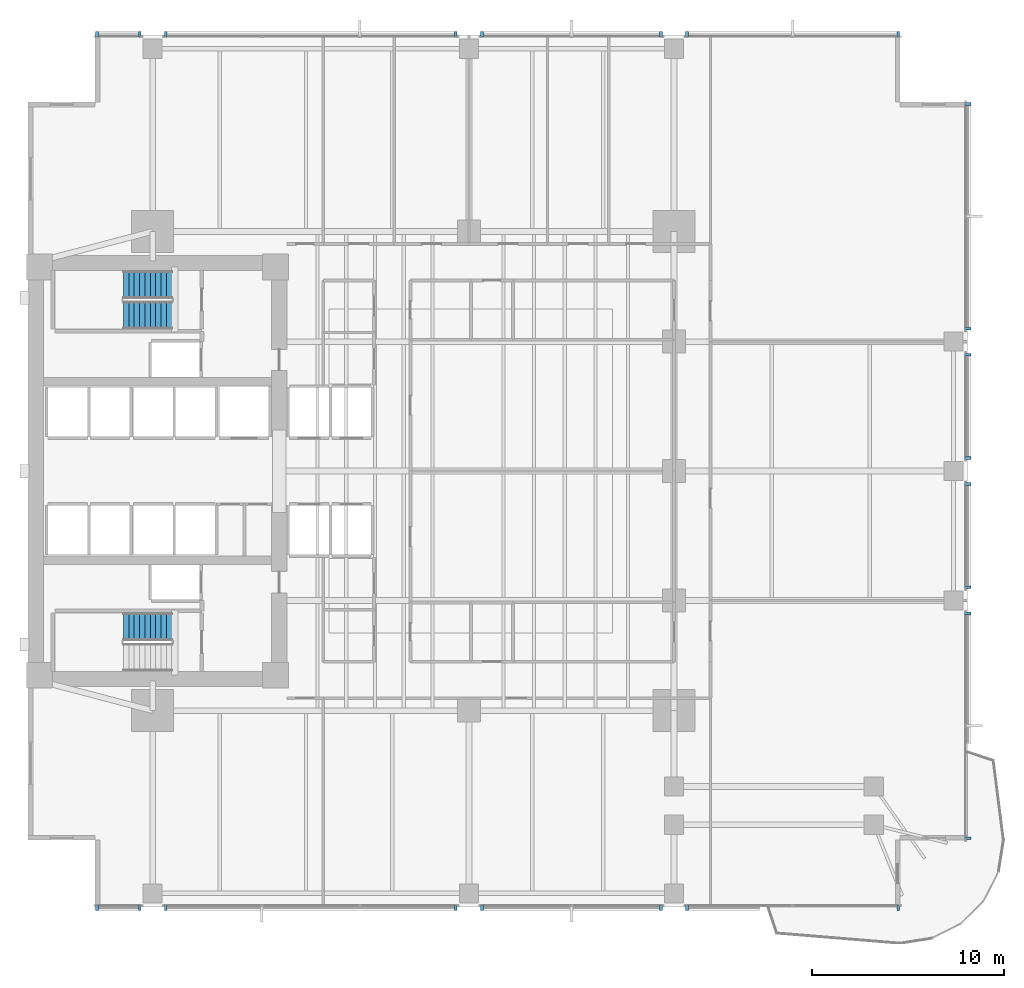
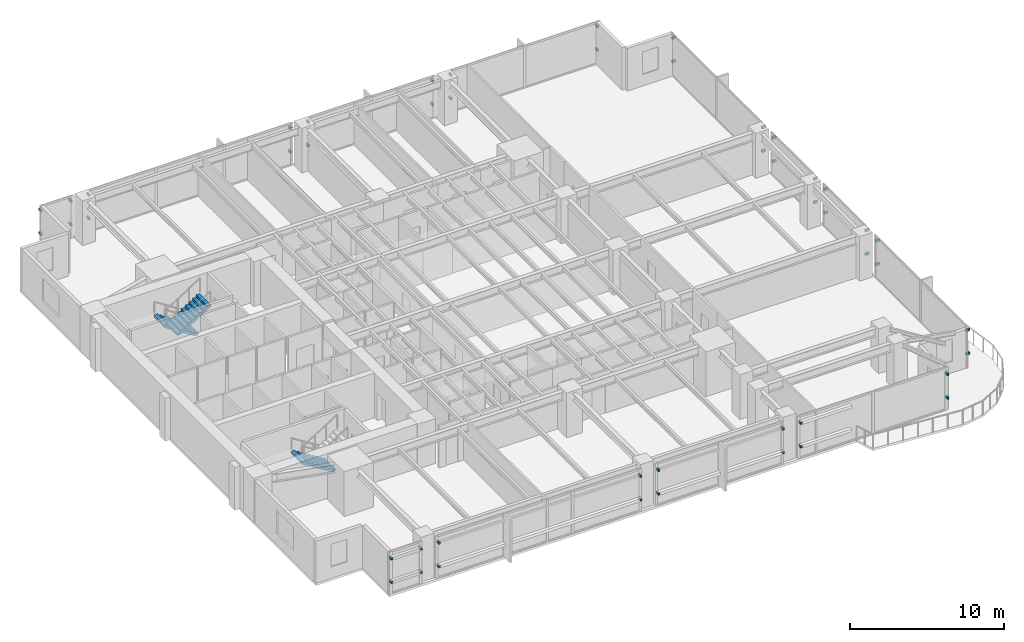
# One storey, part 11 of 15: 48 discrete accessories, 3 stair flights, 2 elements without a shape of their own.
"""IFC4 building model written with IfcOpenShell, lengths in metres."""

import ifcopenshell
import ifcopenshell.guid

model = None  # the IFC model being written
_history = None  # IfcOwnerHistory: only IFC2X3 demands one
_inside = {}  # id of a spatial element -> (the spatial element, [elements in it])
_under = {}  # id of a project, library or spatial element -> (it, [spatial elements below it])
_declared = {}  # id of a project -> (the project, [libraries it declares])
_typed = {}  # id of a type object -> (the type object, [elements of that type])
_made_of = {}  # id of a material, layer set ... -> (it, [elements and type objects made of it])


def new_model(schema):
    """Start an empty IFC model of exactly this schema.

    Asked for "IFC4X3", IfcOpenShell would pick the latest addendum, in which some entities
    have other attributes; the version numbers below select the first issue.
    IFC2X3 requires an IfcOwnerHistory on every rooted entity: one is made here for all.
    """
    global model, _history
    if schema == "IFC4X3":
        model = ifcopenshell.file(schema_version=(4, 3, 0, 0))
    else:
        model = ifcopenshell.file(schema=schema)
    _inside.clear()
    _under.clear()
    _declared.clear()
    _typed.clear()
    _made_of.clear()
    _history = None
    if model.schema == "IFC2X3":
        org = make("IfcOrganization", Name="unknown")
        user = make(
            "IfcPersonAndOrganization",
            ThePerson=make("IfcPerson", FamilyName="unknown"),
            TheOrganization=org,
        )
        app = make(
            "IfcApplication",
            ApplicationDeveloper=org,
            Version="unknown",
            ApplicationFullName="unknown",
            ApplicationIdentifier="unknown",
        )
        _history = make(
            "IfcOwnerHistory",
            OwningUser=user,
            OwningApplication=app,
            ChangeAction="ADDED",
            CreationDate=0,
        )
    return model


def make(cls, **values):
    """One entity of the class cls with the attributes given. An attribute that is None is left unset."""
    return model.create_entity(
        cls, **{name: value for name, value in values.items() if value is not None}
    )


def rooted(cls, **values):
    """An entity with a GlobalId (a new one), such as an element, a storey or a relation."""
    return make(cls, GlobalId=ifcopenshell.guid.new(), OwnerHistory=_history, **values)


def si_unit(unit_type, name, prefix=None):
    """IfcSIUnit, for example si_unit("LENGTHUNIT", "METRE", prefix="MILLI")."""
    return make("IfcSIUnit", UnitType=unit_type, Prefix=prefix, Name=name)


def assignment(units):
    """IfcUnitAssignment: the units of a project."""
    return None if units is None else make("IfcUnitAssignment", Units=units)


def point(xyz):
    """IfcCartesianPoint."""
    return None if xyz is None else make("IfcCartesianPoint", Coordinates=xyz)


def direction(xyz):
    """IfcDirection."""
    return None if xyz is None else make("IfcDirection", DirectionRatios=xyz)


def frame(location, z_axis=None, x_axis=None):
    """IfcAxis2Placement3D, a coordinate frame: its origin and axes. An axis left out is left unset."""
    return make(
        "IfcAxis2Placement3D",
        Location=point(location),
        Axis=direction(z_axis),
        RefDirection=direction(x_axis),
    )


def frame_2d(location, x_axis=None):
    """IfcAxis2Placement2D, a coordinate frame in the plane: its origin and x axis."""
    return make(
        "IfcAxis2Placement2D", Location=point(location), RefDirection=direction(x_axis)
    )


def origin():
    """The frame at (0, 0, 0) with its axes left unset."""
    return frame((0.0, 0.0, 0.0))


def origin_2d():
    """The frame at (0, 0) in the plane with its x axis left unset."""
    return frame_2d((0.0, 0.0))


def place(relative_to, where):
    """IfcLocalPlacement: puts the frame where relative to a parent placement (None: the world)."""
    return make(
        "IfcLocalPlacement", PlacementRelTo=relative_to, RelativePlacement=where
    )


def context(
    kind, dimensions, precision=None, world=None, true_north=None, identifier=None
):
    """IfcGeometricRepresentationContext, for example the 3D "Model" context."""
    return make(
        "IfcGeometricRepresentationContext",
        ContextIdentifier=identifier,
        ContextType=kind,
        CoordinateSpaceDimension=dimensions,
        Precision=precision,
        WorldCoordinateSystem=world,
        TrueNorth=true_north,
    )


def subcontext(parent, identifier, kind, view, scale=None):
    """IfcGeometricRepresentationSubContext, for example "Body" below "Model"."""
    return make(
        "IfcGeometricRepresentationSubContext",
        ContextIdentifier=identifier,
        ContextType=kind,
        ParentContext=parent,
        TargetScale=scale,
        TargetView=view,
    )


def project(units=None, contexts=None):
    """IfcProject with its units and contexts."""
    return rooted(
        "IfcProject",
        Name="project",
        RepresentationContexts=contexts,
        UnitsInContext=assignment(units),
    )


def spatial(cls, under=None, at=None, **own):
    """A site, building, storey or space (cls), placed at a placement, below another one or the project."""
    s = rooted(cls, ObjectPlacement=at, **own)
    if under is not None:
        _under.setdefault(under.id(), (under, []))[1].append(s)
    return s


def polyline(points):
    """IfcPolyline through the points."""
    return make("IfcPolyline", Points=[point(p) for p in points])


def profile(cls, at=None, kind="AREA", **sizes):
    """A parametric profile (cls). Its sizes go by their IFC names, for example OverallWidth=200.0."""
    return make(cls, ProfileType=kind, Position=at, **sizes)


def rectangle(**sizes):
    """IfcRectangleProfileDef."""
    return profile("IfcRectangleProfileDef", **sizes)


def outline(outer, holes=None, kind="AREA"):
    """IfcArbitraryClosedProfileDef: a profile drawn as a closed curve; with holes, ...WithVoids."""
    if holes is None:
        return make("IfcArbitraryClosedProfileDef", ProfileType=kind, OuterCurve=outer)
    return make(
        "IfcArbitraryProfileDefWithVoids",
        ProfileType=kind,
        OuterCurve=outer,
        InnerCurves=holes,
    )


def extrude(swept, where, along, depth):
    """IfcExtrudedAreaSolid: the profile swept, set in the frame where, extruded along a direction by depth."""
    return make(
        "IfcExtrudedAreaSolid",
        SweptArea=swept,
        Position=where,
        ExtrudedDirection=direction(along),
        Depth=depth,
    )


def shape(context_of_items, identifier, shape_type, items):
    """IfcShapeRepresentation: the items that make up one representation, for example the "Body"."""
    return make(
        "IfcShapeRepresentation",
        ContextOfItems=context_of_items,
        RepresentationIdentifier=identifier,
        RepresentationType=shape_type,
        Items=items,
    )


def material(Name=None, Category=None):
    """IfcMaterial."""
    return make("IfcMaterial", Name=Name, Category=Category)


def made_of(thing, what):
    """Note that an element or type object is made of a material, layer set ...; save() writes the relation."""
    if what is not None:
        _made_of.setdefault(what.id(), (what, []))[1].append(thing)
    return thing


def type_object(cls, material=None, **own):
    """A type object (cls), such as IfcWallType, which elements share."""
    return made_of(rooted(cls, **own), material)


def element(
    cls,
    number,
    at=None,
    inside=None,
    cuts=None,
    type_object=None,
    material=None,
    context=None,
    identifier="Body",
    shape_type=None,
    held_by="IfcProductDefinitionShape",
    body=None,
    shapes=None,
    **own,
):
    """One element of the class cls, such as IfcWall. Its Tag is "e" and its number.

    at: its placement. inside: the storey or other place that contains it. cuts: it is an
    opening in that element (IfcRelVoidsElement). A single representation is given by context,
    identifier, shape_type and body (its items); several are given by shapes. held_by: the class
    of the entity that holds the representations. save() writes the other relations.
    """
    e = rooted(cls, Tag="e%d" % number, ObjectPlacement=at, **own)
    if body is not None:
        shapes = [shape(context, identifier, shape_type, body)]
    if shapes is not None:
        e.Representation = make(held_by, Representations=shapes)
    if inside is not None:
        _inside.setdefault(inside.id(), (inside, []))[1].append(e)
    if cuts is not None:
        rooted(
            "IfcRelVoidsElement", RelatingBuildingElement=cuts, RelatedOpeningElement=e
        )
    if type_object is not None:
        _typed.setdefault(type_object.id(), (type_object, []))[1].append(e)
    return made_of(e, material)


def aggregate(whole, parts):
    """IfcRelAggregates: a whole, such as a stair, and the parts it consists of."""
    return rooted("IfcRelAggregates", RelatingObject=whole, RelatedObjects=parts)


def save(model, path):
    """Write the relations noted so far, then the file.

    IfcRelAggregates (storeys below a building ...), IfcRelContainedInSpatialStructure (elements
    in a storey), IfcRelDefinesByType, IfcRelAssociatesMaterial and IfcRelDeclares: one each for
    every whole, place, type object, material and project.
    """
    for whole, parts in _under.values():
        aggregate(whole, parts)
    for where, things in _inside.values():
        rooted(
            "IfcRelContainedInSpatialStructure",
            RelatedElements=things,
            RelatingStructure=where,
        )
    for kind, things in _typed.values():
        rooted("IfcRelDefinesByType", RelatedObjects=things, RelatingType=kind)
    for what, things in _made_of.values():
        rooted("IfcRelAssociatesMaterial", RelatedObjects=things, RelatingMaterial=what)
    for by, libraries in _declared.values():
        rooted("IfcRelDeclares", RelatingContext=by, RelatedDefinitions=libraries)
    model.write(path)


model = new_model("IFC4")

# Units and contexts
model_context = context("Model", 3, precision=1e-05, world=origin(), true_north=direction((0.0, 1.0)))
body_context = subcontext(model_context, "Body", "Model", "MODEL_VIEW")
ifc_project = project(units=[si_unit("LENGTHUNIT", "METRE"), si_unit("AREAUNIT", "SQUARE_METRE"), si_unit("VOLUMEUNIT", "CUBIC_METRE"), si_unit("PLANEANGLEUNIT", "RADIAN"), si_unit("MASSUNIT", "GRAM", prefix="KILO")], contexts=[model_context])

# Site, building, storey
site_placement = place(None, origin())
site = spatial("IfcSite", under=ifc_project, at=site_placement, CompositionType="ELEMENT")
building_placement = place(site_placement, origin())
building = spatial("IfcBuilding", under=site, at=building_placement, Name="Kinhvarn Gate Tower", CompositionType="ELEMENT")
storey_placement = place(building_placement, frame((0.0, 0.0, 46.89990234375)))
storey = spatial("IfcBuildingStorey", under=building, at=storey_placement, Name="L11", CompositionType="ELEMENT", Elevation=46.89990234375)

# Stair, stair flight
ifc_material_1 = material(Name="Concrete C40/50", Category="concrete")
stair_type = type_object("IfcStairType", Name="STR-DLG-178", PredefinedType="HALF_TURN_STAIR", material=ifc_material_1)
stair_1_placement = place(storey_placement, origin())
stair_1 = element("IfcStair", 1, at=stair_1_placement, inside=storey, type_object=stair_type, Name="L11 Core Smokeproof Exit Stair ST1", PredefinedType="HALF_TURN_STAIR")
stair_flight_type = type_object("IfcStairFlightType", Name="STF-DLG-178", PredefinedType="STRAIGHT", material=ifc_material_1)
stair_flight_1_placement = place(storey_placement, frame((12.0, 17.125, 0.0), z_axis=(0.0, 0.0, 1.0), x_axis=(-1.0, 0.0, 0.0)))
stair_flight_1 = element("IfcStairFlight", 2, at=stair_flight_1_placement, type_object=stair_flight_type, Name="ST1 flight 1", NumberOfRisers=10, NumberOfTreads=9, PredefinedType="STRAIGHT", RiserHeight=0.1775, TreadLength=0.28, context=body_context, shape_type="SweptSolid", body=[
    extrude(outline(polyline([(0.0, 0.0), (0.0, 0.177490234375), (0.280029296875, 0.177490234375), (0.280029296875, 0.35498046875), (0.56005859375, 0.35498046875), (0.56005859375, 0.532470703125), (0.840087890625, 0.532470703125), (0.840087890625, 0.7099609375), (1.1201171875, 0.7099609375), (1.1201171875, 0.887451171875), (1.39990234375, 0.887451171875), (1.39990234375, 1.06494140625), (1.679931640625, 1.06494140625), (1.679931640625, 1.242431640625), (1.9599609375, 1.242431640625), (1.9599609375, 1.419921875), (2.239990234375, 1.419921875), (2.239990234375, 1.597412109375), (2.52001953125, 1.597412109375), (2.52001953125, 1.77490234375), (2.52001953125, 1.419921875), (0.280029296875, 0.0), (0.0, 0.0)])), frame((0.0, 0.72509765625, 0.0), z_axis=(0.0, -1.0, 0.0), x_axis=(1.0, 0.0, 0.0)), (0.0, 0.0, 1.0), 1.449951171875),
])
aggregate(stair_1, [stair_flight_1])

# Stair, stair flights
stair_2_placement = place(storey_placement, origin())
stair_2 = element("IfcStair", 3, at=stair_2_placement, inside=storey, type_object=stair_type, Name="L11 Core Smokeproof Exit Stair ST2", PredefinedType="HALF_TURN_STAIR")
stair_flight_2_placement = place(storey_placement, frame((12.0, 34.97509765625, 0.0), z_axis=(0.0, 0.0, 1.0), x_axis=(-1.0, 0.0, 0.0)))
stair_flight_2 = element("IfcStairFlight", 4, at=stair_flight_2_placement, type_object=stair_flight_type, Name="ST2 flight 1", NumberOfRisers=10, NumberOfTreads=9, PredefinedType="STRAIGHT", RiserHeight=0.1775, TreadLength=0.28, context=body_context, shape_type="SweptSolid", body=[
    extrude(outline(polyline([(0.0, 0.0), (0.0, 0.177490234375), (0.280029296875, 0.177490234375), (0.280029296875, 0.35498046875), (0.56005859375, 0.35498046875), (0.56005859375, 0.532470703125), (0.840087890625, 0.532470703125), (0.840087890625, 0.7099609375), (1.1201171875, 0.7099609375), (1.1201171875, 0.887451171875), (1.39990234375, 0.887451171875), (1.39990234375, 1.06494140625), (1.679931640625, 1.06494140625), (1.679931640625, 1.242431640625), (1.9599609375, 1.242431640625), (1.9599609375, 1.419921875), (2.239990234375, 1.419921875), (2.239990234375, 1.597412109375), (2.52001953125, 1.597412109375), (2.52001953125, 1.77490234375), (2.52001953125, 1.419921875), (0.280029296875, 0.0), (0.0, 0.0)])), frame((0.0, 0.72509765625, 0.0), z_axis=(0.0, -1.0, 0.0), x_axis=(1.0, 0.0, 0.0)), (0.0, 0.0, 1.0), 1.449951171875),
])
stair_flight_3_placement = place(storey_placement, frame((9.47998046875, 33.375, 1.775146484375), z_axis=(0.0, 0.0, 1.0), x_axis=(1.0, 0.0, 0.0)))
stair_flight_3 = element("IfcStairFlight", 5, at=stair_flight_3_placement, type_object=stair_flight_type, Name="ST2 flight 2", NumberOfRisers=10, NumberOfTreads=9, PredefinedType="STRAIGHT", RiserHeight=0.1775, TreadLength=0.28, context=body_context, shape_type="SweptSolid", body=[
    extrude(outline(polyline([(0.0, 0.0), (0.0, 0.177490234375), (0.280029296875, 0.177490234375), (0.280029296875, 0.35498046875), (0.56005859375, 0.35498046875), (0.56005859375, 0.532470703125), (0.840087890625, 0.532470703125), (0.840087890625, 0.7099609375), (1.1201171875, 0.7099609375), (1.1201171875, 0.887451171875), (1.39990234375, 0.887451171875), (1.39990234375, 1.06494140625), (1.679931640625, 1.06494140625), (1.679931640625, 1.242431640625), (1.9599609375, 1.242431640625), (1.9599609375, 1.419921875), (2.239990234375, 1.419921875), (2.239990234375, 1.597412109375), (2.52001953125, 1.597412109375), (2.52001953125, 1.77490234375), (2.52001953125, 1.419921875), (0.280029296875, 0.0), (0.0, 0.0)])), frame((0.0, 0.72509765625, 0.0), z_axis=(0.0, -1.0, 0.0), x_axis=(1.0, 0.0, 0.0)), (0.0, 0.0, 1.0), 1.449951171875),
])
aggregate(stair_2, [stair_flight_2, stair_flight_3])

# Discrete accessories
ifc_material_2 = material(Name="Anodised aluminium AW-6063", Category="aluminium")
discrete_accessory_type = type_object("IfcDiscreteAccessoryType", Name="ACC-BRK-01", PredefinedType="BRACKET", material=ifc_material_2)
for number, where, z_axis, x_axis, name in (
    (6, (8.10009765625, 2.4599609375, 0.9599609375), (0.0, 0.0, 1.0), (1.0, 0.0, 0.0), "Baguette Support Bracket BK-01 (L11)"),
    (7, (8.10009765625, 2.4599609375, 2.830078125), (0.0, 0.0, 1.0), (1.0, 0.0, 0.0), "Baguette Support Bracket BK-01 (L11)"),
    (8, (10.320068359375, 2.4599609375, 0.9599609375), (0.0, 0.0, 1.0), (1.0, 0.0, 0.0), "Baguette Support Bracket BK-01 (L11)"),
    (9, (10.320068359375, 2.4599609375, 2.830078125), (0.0, 0.0, 1.0), (1.0, 0.0, 0.0), "Baguette Support Bracket BK-01 (L11)"),
    (10, (11.679931640625, 2.4599609375, 0.9599609375), (0.0, 0.0, 1.0), (1.0, 0.0, 0.0), "Baguette Support Bracket BK-01 (L11)"),
    (11, (11.679931640625, 2.4599609375, 2.830078125), (0.0, 0.0, 1.0), (1.0, 0.0, 0.0), "Baguette Support Bracket BK-01 (L11)"),
    (12, (26.820068359375, 2.4599609375, 0.9599609375), (0.0, 0.0, 1.0), (1.0, 0.0, 0.0), "Baguette Support Bracket BK-01 (L11)"),
    (13, (26.820068359375, 2.4599609375, 2.830078125), (0.0, 0.0, 1.0), (1.0, 0.0, 0.0), "Baguette Support Bracket BK-01 (L11)"),
    (14, (28.179931640625, 2.4599609375, 0.9599609375), (0.0, 0.0, 1.0), (1.0, 0.0, 0.0), "Baguette Support Bracket BK-01 (L11)"),
    (15, (28.179931640625, 2.4599609375, 2.830078125), (0.0, 0.0, 1.0), (1.0, 0.0, 0.0), "Baguette Support Bracket BK-01 (L11)"),
    (16, (37.52001953125, 2.4599609375, 0.9599609375), (0.0, 0.0, 1.0), (1.0, 0.0, 0.0), "Baguette Support Bracket BK-01 (L11)"),
    (17, (37.52001953125, 2.4599609375, 2.830078125), (0.0, 0.0, 1.0), (1.0, 0.0, 0.0), "Baguette Support Bracket BK-01 (L11)"),
    (18, (38.8798828125, 2.4599609375, 0.9599609375), (0.0, 0.0, 1.0), (1.0, 0.0, 0.0), "Baguette Support Bracket BK-01 (L11)"),
    (19, (38.8798828125, 2.4599609375, 2.830078125), (0.0, 0.0, 1.0), (1.0, 0.0, 0.0), "Baguette Support Bracket BK-01 (L11)"),
    (20, (49.89990234375, 2.4599609375, 0.9599609375), (0.0, 0.0, 1.0), (1.0, 0.0, 0.0), "Baguette Support Bracket BK-01 (L11)"),
    (21, (49.89990234375, 2.4599609375, 2.830078125), (0.0, 0.0, 1.0), (1.0, 0.0, 0.0), "Baguette Support Bracket BK-01 (L11)"),
    (22, (49.89990234375, 48.0400390625, 0.9599609375), (0.0, 0.0, 1.0), (-1.0, 0.0, 0.0), "Baguette Support Bracket BK-01 (L11)"),
    (23, (49.89990234375, 48.0400390625, 2.830078125), (0.0, 0.0, 1.0), (-1.0, 0.0, 0.0), "Baguette Support Bracket BK-01 (L11)"),
    (24, (38.8798828125, 48.0400390625, 0.9599609375), (0.0, 0.0, 1.0), (-1.0, 0.0, 0.0), "Baguette Support Bracket BK-01 (L11)"),
    (25, (38.8798828125, 48.0400390625, 2.830078125), (0.0, 0.0, 1.0), (-1.0, 0.0, 0.0), "Baguette Support Bracket BK-01 (L11)"),
    (26, (37.52001953125, 48.0400390625, 0.9599609375), (0.0, 0.0, 1.0), (-1.0, 0.0, 0.0), "Baguette Support Bracket BK-01 (L11)"),
    (27, (37.52001953125, 48.0400390625, 2.830078125), (0.0, 0.0, 1.0), (-1.0, 0.0, 0.0), "Baguette Support Bracket BK-01 (L11)"),
    (28, (28.179931640625, 48.0400390625, 0.9599609375), (0.0, 0.0, 1.0), (-1.0, 0.0, 0.0), "Baguette Support Bracket BK-01 (L11)"),
    (29, (28.179931640625, 48.0400390625, 2.830078125), (0.0, 0.0, 1.0), (-1.0, 0.0, 0.0), "Baguette Support Bracket BK-01 (L11)"),
    (30, (26.820068359375, 48.0400390625, 0.9599609375), (0.0, 0.0, 1.0), (-1.0, 0.0, 0.0), "Baguette Support Bracket BK-01 (L11)"),
    (31, (26.820068359375, 48.0400390625, 2.830078125), (0.0, 0.0, 1.0), (-1.0, 0.0, 0.0), "Baguette Support Bracket BK-01 (L11)"),
    (32, (11.679931640625, 48.0400390625, 0.9599609375), (0.0, 0.0, 1.0), (-1.0, 0.0, 0.0), "Baguette Support Bracket BK-01 (L11)"),
    (33, (11.679931640625, 48.0400390625, 2.830078125), (0.0, 0.0, 1.0), (-1.0, 0.0, 0.0), "Baguette Support Bracket BK-01 (L11)"),
    (34, (10.320068359375, 48.0400390625, 0.9599609375), (0.0, 0.0, 1.0), (-1.0, 0.0, 0.0), "Baguette Support Bracket BK-01 (L11)"),
    (35, (10.320068359375, 48.0400390625, 2.830078125), (0.0, 0.0, 1.0), (-1.0, 0.0, 0.0), "Baguette Support Bracket BK-01 (L11)"),
    (36, (8.10009765625, 48.0400390625, 0.9599609375), (0.0, 0.0, 1.0), (-1.0, 0.0, 0.0), "Baguette Support Bracket BK-01 (L11)"),
    (37, (8.10009765625, 48.0400390625, 2.830078125), (0.0, 0.0, 1.0), (-1.0, 0.0, 0.0), "Baguette Support Bracket BK-01 (L11)"),
    (38, (53.5400390625, 6.10009765625, 0.9599609375), (0.0, 0.0, 1.0), (0.0, 1.0, 0.0), "Baguette Support Bracket BK-01 (L11)"),
    (39, (53.5400390625, 6.10009765625, 2.830078125), (0.0, 0.0, 1.0), (0.0, 1.0, 0.0), "Baguette Support Bracket BK-01 (L11)"),
    (40, (53.5400390625, 17.820068359375, 0.9599609375), (0.0, 0.0, 1.0), (0.0, 1.0, 0.0), "Baguette Support Bracket BK-01 (L11)"),
    (41, (53.5400390625, 17.820068359375, 2.830078125), (0.0, 0.0, 1.0), (0.0, 1.0, 0.0), "Baguette Support Bracket BK-01 (L11)"),
    (42, (53.5400390625, 19.179931640625, 0.9599609375), (0.0, 0.0, 1.0), (0.0, 1.0, 0.0), "Baguette Support Bracket BK-01 (L11)"),
    (43, (53.5400390625, 19.179931640625, 2.830078125), (0.0, 0.0, 1.0), (0.0, 1.0, 0.0), "Baguette Support Bracket BK-01 (L11)"),
    (44, (53.5400390625, 24.570068359375, 0.9599609375), (0.0, 0.0, 1.0), (0.0, 1.0, 0.0), "Baguette Support Bracket BK-01 (L11)"),
    (45, (53.5400390625, 24.570068359375, 2.830078125), (0.0, 0.0, 1.0), (0.0, 1.0, 0.0), "Baguette Support Bracket BK-01 (L11)"),
    (46, (53.5400390625, 25.929931640625, 0.9599609375), (0.0, 0.0, 1.0), (0.0, 1.0, 0.0), "Baguette Support Bracket BK-01 (L11)"),
    (47, (53.5400390625, 25.929931640625, 2.830078125), (0.0, 0.0, 1.0), (0.0, 1.0, 0.0), "Baguette Support Bracket BK-01 (L11)"),
    (48, (53.5400390625, 31.320068359375, 0.9599609375), (0.0, 0.0, 1.0), (0.0, 1.0, 0.0), "Baguette Support Bracket BK-01 (L11)"),
    (49, (53.5400390625, 31.320068359375, 2.830078125), (0.0, 0.0, 1.0), (0.0, 1.0, 0.0), "Baguette Support Bracket BK-01 (L11)"),
    (50, (53.5400390625, 32.679931640625, 0.9599609375), (0.0, 0.0, 1.0), (0.0, 1.0, 0.0), "Baguette Support Bracket BK-01 (L11)"),
    (51, (53.5400390625, 32.679931640625, 2.830078125), (0.0, 0.0, 1.0), (0.0, 1.0, 0.0), "Baguette Support Bracket BK-01 (L11)"),
    (52, (53.5400390625, 44.39990234375, 0.9599609375), (0.0, 0.0, 1.0), (0.0, 1.0, 0.0), "Baguette Support Bracket BK-01 (L11)"),
    (53, (53.5400390625, 44.39990234375, 2.830078125), (0.0, 0.0, 1.0), (0.0, 1.0, 0.0), "Baguette Support Bracket BK-01 (L11)"),
):
    element("IfcDiscreteAccessory", number, at=place(storey_placement, frame(where, z_axis=z_axis, x_axis=x_axis)), inside=storey, type_object=discrete_accessory_type, Name=name, PredefinedType="BRACKET", context=body_context, shape_type="SweptSolid", body=[
        extrude(rectangle(XDim=0.139892578125, YDim=0.280029296875, at=origin_2d()), origin(), (0.0, 0.0, 1.0), 0.179931640625),
    ])

save(model, "model.ifc")
